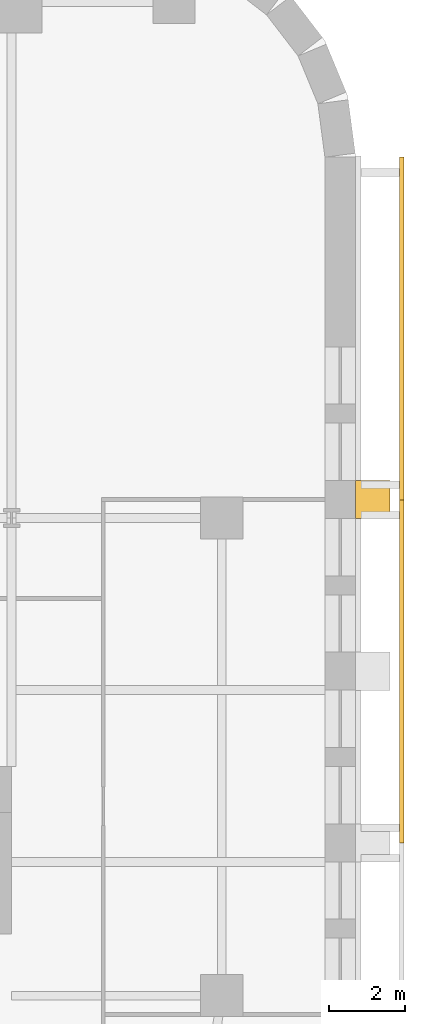
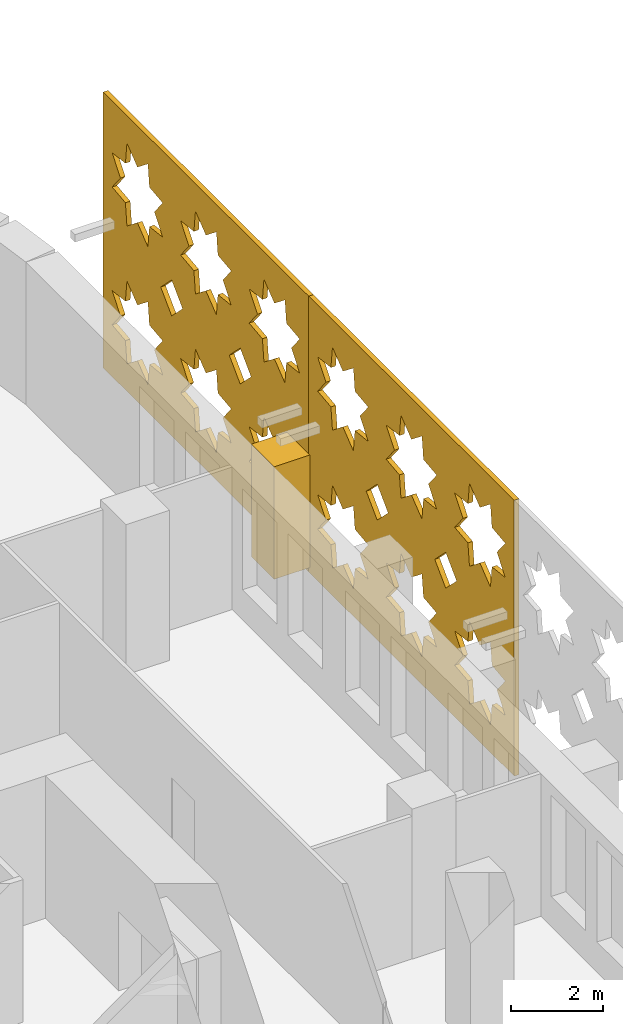
# One storey, part 14 of 14: 3 coverings.
"""IFC4 building model written with IfcOpenShell, lengths in metres."""

from ifc_helpers import new_model, si_unit, direction, frame, origin, place, context, subcontext, project, spatial, polyline, outline, extrude, material, layer, layer_set, type_object, element, save


model = new_model("IFC4")

# Units and contexts
model_context = context("Model", 3, precision=1e-05, world=origin(), true_north=direction((0.0, 1.0)))
body_context = subcontext(model_context, "Body", "Model", "MODEL_VIEW")
ifc_project = project(units=[si_unit("LENGTHUNIT", "METRE"), si_unit("AREAUNIT", "SQUARE_METRE"), si_unit("VOLUMEUNIT", "CUBIC_METRE"), si_unit("PLANEANGLEUNIT", "RADIAN"), si_unit("MASSUNIT", "GRAM", prefix="KILO")], contexts=[model_context])

# Site, building, storey
site_placement = place(None, origin())
site = spatial("IfcSite", under=ifc_project, at=site_placement, CompositionType="ELEMENT")
building_placement = place(site_placement, origin())
building = spatial("IfcBuilding", under=site, at=building_placement, Name="Zellij Exchange Tower", CompositionType="ELEMENT")
storey_placement = place(building_placement, frame((0.0, 0.0, 68.5)))
storey = spatial("IfcBuildingStorey", under=building, at=storey_placement, Name="L13", CompositionType="ELEMENT", Elevation=68.5)

# Coverings
ifc_material_1 = material(Name="Limestone cladding", Category="masonry")
covering_type_1 = type_object("IfcCoveringType", Name="ENV-CV2 Stone pier 1000x900", PredefinedType="CLADDING", material=ifc_material_1)
covering_1_placement = place(storey_placement, frame((0.0, 0.0, 0.800048828125)))
element("IfcCovering", 1, at=covering_1_placement, inside=storey, type_object=covering_type_1, Name="Stone pier", PredefinedType="CLADDING", context=body_context, shape_type="SweptSolid", body=[
    extrude(outline(polyline([(36.0, 4.48681640625), (36.0, 5.48681640625), (36.89990234375, 5.48681640625), (36.89990234375, 4.48681640625), (36.0, 4.48681640625)])), origin(), (0.0, 0.0, 1.0), 3.0),
])
ifc_material_2 = material(Name="Limestone screen", Category="masonry")
ifc_layer = layer(ifc_material_2, 0.1201171875)
ifc_layer_set = layer_set([ifc_layer], Name="Limestone screen")
covering_type_2 = type_object("IfcCoveringType", Name="ENV-SC1 Pierced stone screen 120", PredefinedType="USERDEFINED", material=ifc_layer_set)
covering_2_placement = place(storey_placement, frame((37.2099609375, -4.0, 0.300048828125), z_axis=(0.0, 0.0, 1.0), x_axis=(0.0, 1.0, 0.0)))
element("IfcCovering", 2, at=covering_2_placement, inside=storey, type_object=covering_type_2, Name="Pierced stone screen", ObjectType="SCREEN", PredefinedType="USERDEFINED", context=body_context, shape_type="SweptSolid", body=[
    extrude(outline(polyline([(0.0, 0.0), (8.973876953125, 0.0), (8.973876953125, 7.35009765625), (0.0, 7.35009765625), (0.0, 0.0)]), holes=[polyline([(2.60107421875, 2.29541015625), (2.020263671875, 2.362060546875), (1.95361328125, 2.94287109375), (1.49560546875, 2.579345703125), (1.03759765625, 2.94287109375), (0.97119140625, 2.362060546875), (0.39013671875, 2.29541015625), (0.75390625, 1.83740234375), (0.39013671875, 1.379638671875), (0.97119140625, 1.31298828125), (1.03759765625, 0.732177734375), (1.49560546875, 1.095703125), (1.95361328125, 0.732177734375), (2.020263671875, 1.31298828125), (2.60107421875, 1.379638671875), (2.237548828125, 1.83740234375), (2.60107421875, 2.29541015625)]), polyline([(2.60107421875, 5.970458984375), (2.020263671875, 6.037109375), (1.95361328125, 6.617919921875), (1.49560546875, 6.25439453125), (1.03759765625, 6.617919921875), (0.97119140625, 6.037109375), (0.39013671875, 5.970458984375), (0.75390625, 5.512451171875), (0.39013671875, 5.0546875), (0.97119140625, 4.98779296875), (1.03759765625, 4.406982421875), (1.49560546875, 4.770751953125), (1.95361328125, 4.406982421875), (2.020263671875, 4.98779296875), (2.60107421875, 5.0546875), (2.237548828125, 5.512451171875), (2.60107421875, 5.970458984375)]), polyline([(5.59228515625, 2.29541015625), (5.011474609375, 2.362060546875), (4.94482421875, 2.94287109375), (4.48681640625, 2.579345703125), (4.029052734375, 2.94287109375), (3.96240234375, 2.362060546875), (3.381591796875, 2.29541015625), (3.7451171875, 1.83740234375), (3.381591796875, 1.379638671875), (3.96240234375, 1.31298828125), (4.029052734375, 0.732177734375), (4.48681640625, 1.095703125), (4.94482421875, 0.732177734375), (5.011474609375, 1.31298828125), (5.59228515625, 1.379638671875), (5.228759765625, 1.83740234375), (5.59228515625, 2.29541015625)]), polyline([(5.59228515625, 5.970458984375), (5.011474609375, 6.037109375), (4.94482421875, 6.617919921875), (4.48681640625, 6.25439453125), (4.029052734375, 6.617919921875), (3.96240234375, 6.037109375), (3.381591796875, 5.970458984375), (3.7451171875, 5.512451171875), (3.381591796875, 5.0546875), (3.96240234375, 4.98779296875), (4.029052734375, 4.406982421875), (4.48681640625, 4.770751953125), (4.94482421875, 4.406982421875), (5.011474609375, 4.98779296875), (5.59228515625, 5.0546875), (5.228759765625, 5.512451171875), (5.59228515625, 5.970458984375)]), polyline([(8.58349609375, 2.29541015625), (8.002685546875, 2.362060546875), (7.93603515625, 2.94287109375), (7.478271484375, 2.579345703125), (7.020263671875, 2.94287109375), (6.95361328125, 2.362060546875), (6.372802734375, 2.29541015625), (6.736328125, 1.83740234375), (6.372802734375, 1.379638671875), (6.95361328125, 1.31298828125), (7.020263671875, 0.732177734375), (7.478271484375, 1.095703125), (7.93603515625, 0.732177734375), (8.002685546875, 1.31298828125), (8.58349609375, 1.379638671875), (8.219970703125, 1.83740234375), (8.58349609375, 2.29541015625)]), polyline([(8.58349609375, 5.970458984375), (8.002685546875, 6.037109375), (7.93603515625, 6.617919921875), (7.478271484375, 6.25439453125), (7.020263671875, 6.617919921875), (6.95361328125, 6.037109375), (6.372802734375, 5.970458984375), (6.736328125, 5.512451171875), (6.372802734375, 5.0546875), (6.95361328125, 4.98779296875), (7.020263671875, 4.406982421875), (7.478271484375, 4.770751953125), (7.93603515625, 4.406982421875), (8.002685546875, 4.98779296875), (8.58349609375, 5.0546875), (8.219970703125, 5.512451171875), (8.58349609375, 5.970458984375)]), polyline([(3.469970703125, 3.675048828125), (2.9912109375, 4.153564453125), (2.5126953125, 3.675048828125), (2.9912109375, 3.1962890625), (3.469970703125, 3.675048828125)]), polyline([(6.461181640625, 3.675048828125), (5.982421875, 4.153564453125), (5.50390625, 3.675048828125), (5.982421875, 3.1962890625), (6.461181640625, 3.675048828125)])]), frame((0.0, 0.06005859375, 0.0), z_axis=(0.0, -1.0, 0.0), x_axis=(1.0, 0.0, 0.0)), (0.0, 0.0, 1.0), 0.1201171875),
])
covering_3_placement = place(storey_placement, frame((37.2099609375, 4.973876953125, 0.300048828125), z_axis=(0.0, 0.0, 1.0), x_axis=(0.0, 1.0, 0.0)))
element("IfcCovering", 3, at=covering_3_placement, inside=storey, type_object=covering_type_2, Name="Pierced stone screen", ObjectType="SCREEN", PredefinedType="USERDEFINED", context=body_context, shape_type="SweptSolid", body=[
    extrude(outline(polyline([(0.0, 0.0), (8.973876953125, 0.0), (8.973876953125, 7.35009765625), (0.0, 7.35009765625), (0.0, 0.0)]), holes=[polyline([(2.60107421875, 2.29541015625), (2.020263671875, 2.362060546875), (1.95361328125, 2.94287109375), (1.49560546875, 2.579345703125), (1.03759765625, 2.94287109375), (0.97119140625, 2.362060546875), (0.39013671875, 2.29541015625), (0.75390625, 1.83740234375), (0.39013671875, 1.379638671875), (0.97119140625, 1.31298828125), (1.03759765625, 0.732177734375), (1.49560546875, 1.095703125), (1.95361328125, 0.732177734375), (2.020263671875, 1.31298828125), (2.60107421875, 1.379638671875), (2.237548828125, 1.83740234375), (2.60107421875, 2.29541015625)]), polyline([(2.60107421875, 5.970458984375), (2.020263671875, 6.037109375), (1.95361328125, 6.617919921875), (1.49560546875, 6.25439453125), (1.03759765625, 6.617919921875), (0.97119140625, 6.037109375), (0.39013671875, 5.970458984375), (0.75390625, 5.512451171875), (0.39013671875, 5.0546875), (0.97119140625, 4.98779296875), (1.03759765625, 4.406982421875), (1.49560546875, 4.770751953125), (1.95361328125, 4.406982421875), (2.020263671875, 4.98779296875), (2.60107421875, 5.0546875), (2.237548828125, 5.512451171875), (2.60107421875, 5.970458984375)]), polyline([(5.59228515625, 2.29541015625), (5.011474609375, 2.362060546875), (4.94482421875, 2.94287109375), (4.48681640625, 2.579345703125), (4.029052734375, 2.94287109375), (3.96240234375, 2.362060546875), (3.381591796875, 2.29541015625), (3.7451171875, 1.83740234375), (3.381591796875, 1.379638671875), (3.96240234375, 1.31298828125), (4.029052734375, 0.732177734375), (4.48681640625, 1.095703125), (4.94482421875, 0.732177734375), (5.011474609375, 1.31298828125), (5.59228515625, 1.379638671875), (5.228759765625, 1.83740234375), (5.59228515625, 2.29541015625)]), polyline([(5.59228515625, 5.970458984375), (5.011474609375, 6.037109375), (4.94482421875, 6.617919921875), (4.48681640625, 6.25439453125), (4.029052734375, 6.617919921875), (3.96240234375, 6.037109375), (3.381591796875, 5.970458984375), (3.7451171875, 5.512451171875), (3.381591796875, 5.0546875), (3.96240234375, 4.98779296875), (4.029052734375, 4.406982421875), (4.48681640625, 4.770751953125), (4.94482421875, 4.406982421875), (5.011474609375, 4.98779296875), (5.59228515625, 5.0546875), (5.228759765625, 5.512451171875), (5.59228515625, 5.970458984375)]), polyline([(8.58349609375, 2.29541015625), (8.002685546875, 2.362060546875), (7.93603515625, 2.94287109375), (7.478271484375, 2.579345703125), (7.020263671875, 2.94287109375), (6.95361328125, 2.362060546875), (6.372802734375, 2.29541015625), (6.736328125, 1.83740234375), (6.372802734375, 1.379638671875), (6.95361328125, 1.31298828125), (7.020263671875, 0.732177734375), (7.478271484375, 1.095703125), (7.93603515625, 0.732177734375), (8.002685546875, 1.31298828125), (8.58349609375, 1.379638671875), (8.219970703125, 1.83740234375), (8.58349609375, 2.29541015625)]), polyline([(8.58349609375, 5.970458984375), (8.002685546875, 6.037109375), (7.93603515625, 6.617919921875), (7.478271484375, 6.25439453125), (7.020263671875, 6.617919921875), (6.95361328125, 6.037109375), (6.372802734375, 5.970458984375), (6.736328125, 5.512451171875), (6.372802734375, 5.0546875), (6.95361328125, 4.98779296875), (7.020263671875, 4.406982421875), (7.478271484375, 4.770751953125), (7.93603515625, 4.406982421875), (8.002685546875, 4.98779296875), (8.58349609375, 5.0546875), (8.219970703125, 5.512451171875), (8.58349609375, 5.970458984375)]), polyline([(3.469970703125, 3.675048828125), (2.9912109375, 4.153564453125), (2.5126953125, 3.675048828125), (2.9912109375, 3.1962890625), (3.469970703125, 3.675048828125)]), polyline([(6.461181640625, 3.675048828125), (5.982421875, 4.153564453125), (5.50390625, 3.675048828125), (5.982421875, 3.1962890625), (6.461181640625, 3.675048828125)])]), frame((0.0, 0.06005859375, 0.0), z_axis=(0.0, -1.0, 0.0), x_axis=(1.0, 0.0, 0.0)), (0.0, 0.0, 1.0), 0.1201171875),
])

save(model, "model.ifc")
